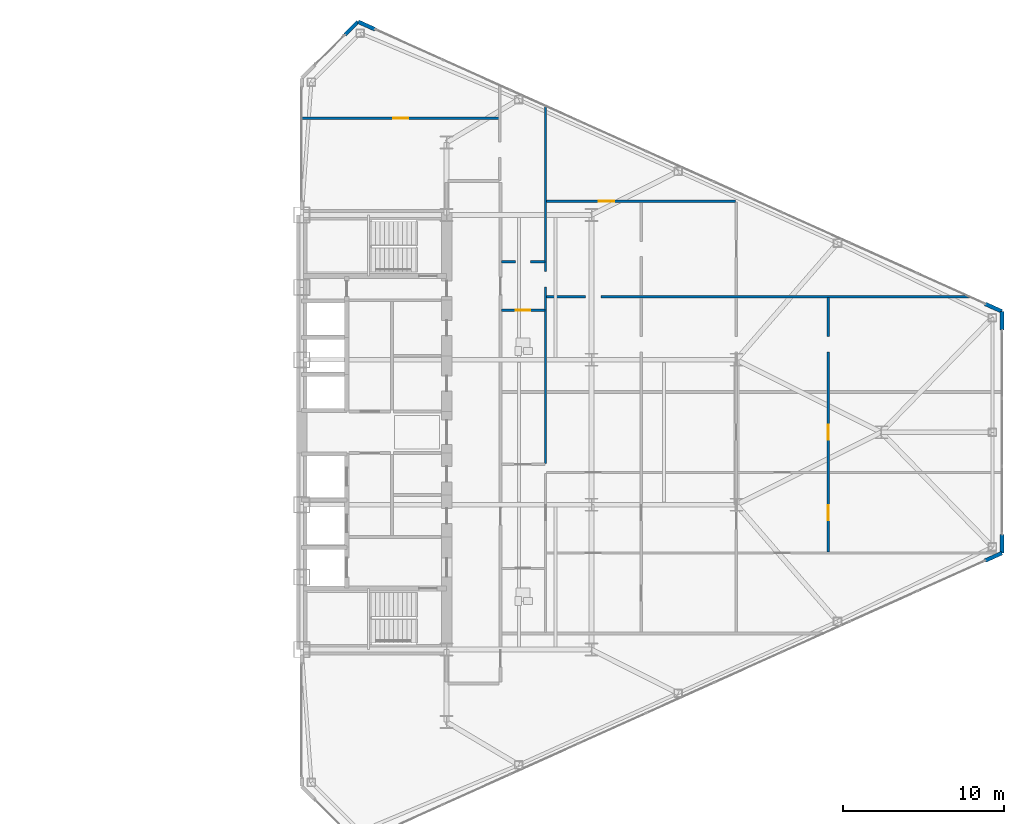
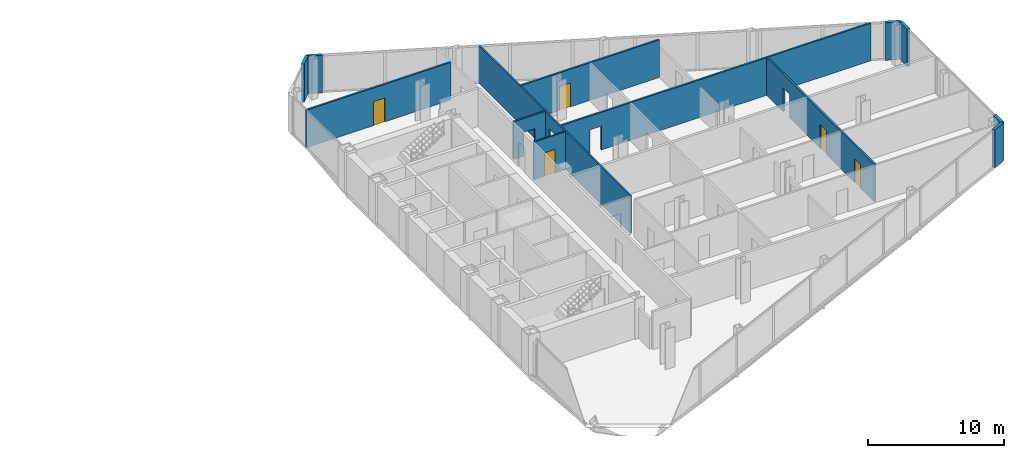
# One storey, part 24 of 27: 13 walls, 5 doors, 9 openings.
"""IFC4 building model written with IfcOpenShell, lengths in metres."""

from ifc_helpers import new_model, si_unit, direction, frame, frame_2d, origin, place, context, subcontext, project, spatial, rectangle, extrude, source, transform, mapped, material, layer, layer_set, type_object, type_shapes, element, fill, save


model = new_model("IFC4")

# Units and contexts
model_context = context("Model", 3, precision=1e-05, world=origin(), true_north=direction((0.0, 1.0)))
body_context = subcontext(model_context, "Body", "Model", "MODEL_VIEW")
ifc_project = project(units=[si_unit("LENGTHUNIT", "METRE"), si_unit("AREAUNIT", "SQUARE_METRE"), si_unit("VOLUMEUNIT", "CUBIC_METRE"), si_unit("PLANEANGLEUNIT", "RADIAN"), si_unit("MASSUNIT", "GRAM", prefix="KILO")], contexts=[model_context])

# Site, building, storey
site_placement = place(None, origin())
site = spatial("IfcSite", under=ifc_project, at=site_placement, CompositionType="ELEMENT")
building_placement = place(site_placement, origin())
building = spatial("IfcBuilding", under=site, at=building_placement, Name="Seokmaru Belvedere", CompositionType="ELEMENT")
storey_placement = place(building_placement, frame((0.0, 0.0, 96.0)))
storey = spatial("IfcBuildingStorey", under=building, at=storey_placement, Name="L25", CompositionType="ELEMENT", Elevation=96.0)

# Wall, opening
ifc_material_1 = material(Name="Fire-Rated Gypsum Shaftwall")
ifc_layer_1 = layer(ifc_material_1, 0.14990234375)
ifc_layer_set_1 = layer_set([ifc_layer_1], Name="Fire-Rated Gypsum Shaftwall")
wall_type_1 = type_object("IfcWallType", Name="Apartment Fire-Acoustic Room Partition 150", PredefinedType="PARTITIONING", material=ifc_layer_set_1)
wall_1_placement = place(storey_placement, frame((42.699951171875, 8.419921875, 0.0), z_axis=(0.0, 0.0, 1.0), x_axis=(1.0, 0.0, 0.0)))
wall_1 = element("IfcWall", 1, at=wall_1_placement, inside=storey, type_object=wall_type_1, Name="L25 Interior Partition 020", PredefinedType="PARTITIONING", context=body_context, shape_type="SweptSolid", body=[
    extrude(rectangle(XDim=26.2919921875, YDim=0.14990234375, at=frame_2d((13.14599609375, 0.0))), origin(), (0.0, 0.0, 1.0), 3.3798828125),
])
opening_1_placement = place(wall_1_placement, frame((2.4375, 0.0, 0.0)))
element("IfcOpeningElement", 2, at=opening_1_placement, cuts=wall_1, Name="L25 Cased Opening 053", PredefinedType="OPENING", context=body_context, shape_type="SweptSolid", body=[
    extrude(rectangle(XDim=0.949951171875, YDim=2.14990234375, at=frame_2d((0.47509765625, 1.074951171875))), frame((0.0, 0.0849609375, 0.0), z_axis=(0.0, -1.0, 0.0), x_axis=(1.0, 0.0, 0.0)), (0.0, 0.0, 1.0), 0.169921875),
])

wall_2_placement = place(storey_placement, frame((39.89990234375, 10.580078125, 0.0), z_axis=(0.0, 0.0, 1.0), x_axis=(1.0, 0.0, 0.0)))
wall_2 = element("IfcWall", 3, at=wall_2_placement, inside=storey, type_object=wall_type_1, Name="L25 Interior Partition 022", PredefinedType="PARTITIONING", context=body_context, shape_type="SweptSolid", body=[
    extrude(rectangle(XDim=2.7001953125, YDim=0.14990234375, at=frame_2d((1.35009765625, 0.0))), origin(), (0.0, 0.0, 1.0), 3.3798828125),
])
opening_2_placement = place(wall_2_placement, frame((0.875, 0.0, 0.0)))
element("IfcOpeningElement", 4, at=opening_2_placement, cuts=wall_2, Name="L25 Cased Opening 051", PredefinedType="OPENING", context=body_context, shape_type="SweptSolid", body=[
    extrude(rectangle(XDim=0.949951171875, YDim=2.14990234375, at=frame_2d((0.47509765625, 1.074951171875))), frame((0.0, 0.0849609375, 0.0), z_axis=(0.0, -1.0, 0.0), x_axis=(1.0, 0.0, 0.0)), (0.0, 0.0, 1.0), 0.169921875),
])

# Wall, opening, door
wall_3_placement = place(storey_placement, frame((42.699951171875, 14.340087890625, 0.0), z_axis=(0.0, 0.0, 1.0), x_axis=(1.0, 0.0, 0.0)))
wall_3 = element("IfcWall", 5, at=wall_3_placement, inside=storey, type_object=wall_type_1, Name="L25 Interior Partition 026", PredefinedType="PARTITIONING", context=body_context, shape_type="SweptSolid", body=[
    extrude(rectangle(XDim=11.75, YDim=0.14990234375, at=frame_2d((5.875, 0.0))), origin(), (0.0, 0.0, 1.0), 3.3798828125),
])
opening_3_placement = place(wall_3_placement, frame((3.255126953125, 0.0, 0.0)))
opening_3 = element("IfcOpeningElement", 6, at=opening_3_placement, cuts=wall_3, Name="Opening D05", PredefinedType="OPENING", context=body_context, shape_type="SweptSolid", body=[
    extrude(rectangle(XDim=0.949951171875, YDim=2.14990234375, at=frame_2d((0.47509765625, 1.074951171875))), frame((0.0, 0.0849609375, 0.0), z_axis=(0.0, -1.0, 0.0), x_axis=(1.0, 0.0, 0.0)), (0.0, 0.0, 1.0), 0.169921875),
])
ifc_material_2 = material(Name="Engineered White Oak Timber", Category="wood")
door_type_1 = type_object("IfcDoorType", Name="Apartment Interior Fire-Rated Oak Door 950x2150", OperationType="NOTDEFINED", PredefinedType="DOOR", material=ifc_material_2)
shared_shape_1 = source(origin(), body_context, "Body", "SweptSolid", [
    extrude(rectangle(XDim=0.949951171875, YDim=2.14990234375, at=frame_2d((0.47509765625, 1.074951171875))), frame((0.0, 0.02490234375, 0.0), z_axis=(0.0, -1.0, 0.0), x_axis=(1.0, 0.0, 0.0)), (0.0, 0.0, 1.0), 0.050048828125),
])
type_shapes(door_type_1, [shared_shape_1])
door_1_placement = place(opening_3_placement, origin())
door_1 = element("IfcDoor", 7, at=door_1_placement, inside=storey, type_object=door_type_1, Name="L25 Interior Door 055", OperationType="SINGLE_SWING_LEFT", OverallHeight=2.14990234375, OverallWidth=0.949951171875, PredefinedType="DOOR", context=body_context, shape_type="MappedRepresentation", body=[
    mapped(shared_shape_1, transform((0.0, 0.0, 0.0), scale=1.0)),
])
fill(opening_3, door_1)

wall_4_placement = place(storey_placement, frame((27.465087890625, 19.5, 0.0), z_axis=(0.0, 0.0, 1.0), x_axis=(1.0, 0.0, 0.0)))
wall_4 = element("IfcWall", 8, at=wall_4_placement, inside=storey, type_object=wall_type_1, Name="L25 Interior Partition 031", PredefinedType="PARTITIONING", context=body_context, shape_type="SweptSolid", body=[
    extrude(rectangle(XDim=12.284912109375, YDim=0.14990234375, at=frame_2d((6.142578125, 0.0))), origin(), (0.0, 0.0, 1.0), 3.3798828125),
])
opening_4_placement = place(wall_4_placement, frame((5.7099609375, 0.0, 0.0)))
opening_4 = element("IfcOpeningElement", 9, at=opening_4_placement, cuts=wall_4, Name="Opening D05", PredefinedType="OPENING", context=body_context, shape_type="SweptSolid", body=[
    extrude(rectangle(XDim=0.949951171875, YDim=2.14990234375, at=frame_2d((0.47509765625, 1.074951171875))), frame((0.0, 0.0849609375, 0.0), z_axis=(0.0, -1.0, 0.0), x_axis=(1.0, 0.0, 0.0)), (0.0, 0.0, 1.0), 0.169921875),
])
door_2_placement = place(opening_4_placement, origin())
door_2 = element("IfcDoor", 10, at=door_2_placement, inside=storey, type_object=door_type_1, Name="L25 Interior Door 061", OperationType="SINGLE_SWING_LEFT", OverallHeight=2.14990234375, OverallWidth=0.949951171875, PredefinedType="DOOR", context=body_context, shape_type="MappedRepresentation", body=[
    mapped(shared_shape_1, transform((0.0, 0.0, 0.0), scale=1.0)),
])
fill(opening_4, door_2)

# Wall, openings, doors
wall_5_placement = place(storey_placement, frame((60.199951171875, -7.449951171875, 0.0), z_axis=(0.0, 0.0, 1.0), x_axis=(0.0, 1.0, 0.0)))
wall_5 = element("IfcWall", 11, at=wall_5_placement, inside=storey, type_object=wall_type_1, Name="L25 Interior Partition 051", PredefinedType="PARTITIONING", context=body_context, shape_type="SweptSolid", body=[
    extrude(rectangle(XDim=15.81884765625, YDim=0.14990234375, at=frame_2d((7.909423828125, 0.0))), origin(), (0.0, 0.0, 1.0), 3.3798828125),
])
opening_5_placement = place(wall_5_placement, frame((1.97509765625, 0.0, 0.0)))
opening_5 = element("IfcOpeningElement", 12, at=opening_5_placement, cuts=wall_5, Name="Opening D05", PredefinedType="OPENING", context=body_context, shape_type="SweptSolid", body=[
    extrude(rectangle(XDim=0.949951171875, YDim=2.14990234375, at=frame_2d((0.47509765625, 1.074951171875))), frame((0.0, 0.0849609375, 0.0), z_axis=(0.0, -1.0, 0.0), x_axis=(1.0, 0.0, 0.0)), (0.0, 0.0, 1.0), 0.169921875),
])
opening_6_placement = place(wall_5_placement, frame((6.97509765625, 0.0, 0.0)))
opening_6 = element("IfcOpeningElement", 13, at=opening_6_placement, cuts=wall_5, Name="Opening D05", PredefinedType="OPENING", context=body_context, shape_type="SweptSolid", body=[
    extrude(rectangle(XDim=0.949951171875, YDim=2.14990234375, at=frame_2d((0.47509765625, 1.074951171875))), frame((0.0, 0.0849609375, 0.0), z_axis=(0.0, -1.0, 0.0), x_axis=(1.0, 0.0, 0.0)), (0.0, 0.0, 1.0), 0.169921875),
])
opening_7_placement = place(wall_5_placement, frame((12.4345703125, 0.0, 0.0)))
element("IfcOpeningElement", 14, at=opening_7_placement, cuts=wall_5, Name="L25 Cased Opening 059", PredefinedType="OPENING", context=body_context, shape_type="SweptSolid", body=[
    extrude(rectangle(XDim=0.949951171875, YDim=2.14990234375, at=frame_2d((0.47509765625, 1.074951171875))), frame((0.0, 0.0849609375, 0.0), z_axis=(0.0, -1.0, 0.0), x_axis=(1.0, 0.0, 0.0)), (0.0, 0.0, 1.0), 0.169921875),
])
door_3_placement = place(opening_5_placement, origin())
door_3 = element("IfcDoor", 15, at=door_3_placement, inside=storey, type_object=door_type_1, Name="L25 Interior Door 044", OperationType="SINGLE_SWING_LEFT", OverallHeight=2.14990234375, OverallWidth=0.949951171875, PredefinedType="DOOR", context=body_context, shape_type="MappedRepresentation", body=[
    mapped(shared_shape_1, transform((0.0, 0.0, 0.0), scale=1.0)),
])
fill(opening_5, door_3)
door_4_placement = place(opening_6_placement, origin())
door_4 = element("IfcDoor", 16, at=door_4_placement, inside=storey, type_object=door_type_1, Name="L25 Interior Door 046", OperationType="SINGLE_SWING_LEFT", OverallHeight=2.14990234375, OverallWidth=0.949951171875, PredefinedType="DOOR", context=body_context, shape_type="MappedRepresentation", body=[
    mapped(shared_shape_1, transform((0.0, 0.0, 0.0), scale=1.0)),
])
fill(opening_6, door_4)

# Wall, opening, door
ifc_layer_2 = layer(ifc_material_1, 0.1298828125)
ifc_layer_set_2 = layer_set([ifc_layer_2], Name="Fire-Rated Gypsum Shaftwall")
wall_type_2 = type_object("IfcWallType", Name="Moisture-Resistant Fire-Rated Bathroom Partition 130", PredefinedType="PARTITIONING", material=ifc_layer_set_2)
wall_6_placement = place(storey_placement, frame((39.89990234375, 7.580078125, 0.0), z_axis=(0.0, 0.0, 1.0), x_axis=(1.0, 0.0, 0.0)))
wall_6 = element("IfcWall", 17, at=wall_6_placement, inside=storey, type_object=wall_type_2, Name="L25 Interior Partition 019", PredefinedType="PARTITIONING", context=body_context, shape_type="SweptSolid", body=[
    extrude(rectangle(XDim=2.7001953125, YDim=0.1298828125, at=frame_2d((1.35009765625, 0.0))), origin(), (0.0, 0.0, 1.0), 3.3798828125),
])
opening_8_placement = place(wall_6_placement, frame((0.909912109375, 0.0, 0.0)))
opening_8 = element("IfcOpeningElement", 18, at=opening_8_placement, cuts=wall_6, Name="Opening D06", PredefinedType="OPENING", context=body_context, shape_type="SweptSolid", body=[
    extrude(rectangle(XDim=0.8798828125, YDim=2.10009765625, at=frame_2d((0.43994140625, 1.050048828125))), frame((0.0, 0.074951171875, 0.0), z_axis=(0.0, -1.0, 0.0), x_axis=(1.0, 0.0, 0.0)), (0.0, 0.0, 1.0), 0.14990234375),
])
door_type_2 = type_object("IfcDoorType", Name="Bathroom and Restroom Fire-Rated Door 880x2100", OperationType="NOTDEFINED", PredefinedType="DOOR", material=ifc_material_2)
shared_shape_2 = source(origin(), body_context, "Body", "SweptSolid", [
    extrude(rectangle(XDim=0.8798828125, YDim=2.10009765625, at=frame_2d((0.43994140625, 1.050048828125))), frame((0.0, 0.02490234375, 0.0), z_axis=(0.0, -1.0, 0.0), x_axis=(1.0, 0.0, 0.0)), (0.0, 0.0, 1.0), 0.050048828125),
])
type_shapes(door_type_2, [shared_shape_2])
door_5_placement = place(opening_8_placement, origin())
door_5 = element("IfcDoor", 19, at=door_5_placement, inside=storey, type_object=door_type_2, Name="L25 Interior Door 050", OperationType="SINGLE_SWING_RIGHT", OverallHeight=2.10009765625, OverallWidth=0.8798828125, PredefinedType="DOOR", context=body_context, shape_type="MappedRepresentation", body=[
    mapped(shared_shape_2, transform((0.0, 0.0, 0.0), scale=1.0)),
])
fill(opening_8, door_5)

# Wall, opening
wall_7_placement = place(storey_placement, frame((42.64990234375, -1.947998046875, 0.0), z_axis=(0.0, 0.0, 1.0), x_axis=(0.0, 1.0, 0.0)))
wall_7 = element("IfcWall", 20, at=wall_7_placement, inside=storey, type_object=wall_type_2, Name="L25 Interior Partition 048", PredefinedType="PARTITIONING", context=body_context, shape_type="SweptSolid", body=[
    extrude(rectangle(XDim=22.240966796875, YDim=0.1298828125, at=frame_2d((11.12060546875, 0.0))), origin(), (0.0, 0.0, 1.0), 3.3798828125),
])
opening_9_placement = place(wall_7_placement, frame((10.971435546875, 0.0, 0.0)))
element("IfcOpeningElement", 21, at=opening_9_placement, cuts=wall_7, Name="L25 Cased Opening 052", PredefinedType="OPENING", context=body_context, shape_type="SweptSolid", body=[
    extrude(rectangle(XDim=0.949951171875, YDim=2.14990234375, at=frame_2d((0.47509765625, 1.074951171875))), frame((0.0, 0.074951171875, 0.0), z_axis=(0.0, -1.0, 0.0), x_axis=(1.0, 0.0, 0.0)), (0.0, 0.0, 1.0), 0.14990234375),
])

# Walls
ifc_material_3 = material(Name="Anodised Bronze Aluminium", Category="aluminium")
ifc_layer_3 = layer(ifc_material_3, 0.239990234375)
ifc_layer_set_3 = layer_set([ifc_layer_3], Name="Anodised Bronze Aluminium")
wall_type_3 = type_object("IfcWallType", Name="Tower Corner Spandrel Closure Wall 240", PredefinedType="SOLIDWALL", material=ifc_layer_set_3)
for number, where, z_axis, x_axis, name in (
    (22, (69.951416015625, -7.971923828125, 0.0), (0.0, 0.0, 1.0), (0.911929519623, 0.410346866979, 0.0), "L25 E Corner Closure Pier 1B"),
    (23, (71.0, -7.489990234375, 0.0), (0.0, 0.0, 1.0), (0.0, 1.0, 0.0), "L25 E Corner Closure Pier 2A"),
    (24, (71.0, 6.35009765625, 0.0), (0.0, 0.0, 1.0), (0.0, 1.0, 0.0), "L25 E Corner Closure Pier 2B"),
    (25, (70.990966796875, 7.504150390625, 0.0), (0.0, 0.0, 1.0), (-0.911929519623, 0.410346866979, 0.0), "L25 E Corner Closure Pier 3A"),
    (26, (32.048583984375, 25.028076171875, 0.0), (0.0, 0.0, 1.0), (-0.911929519623, 0.410346866979, 0.0), "L25 E Corner Closure Pier 3B"),
):
    element("IfcWall", number, at=place(storey_placement, frame(where, z_axis=z_axis, x_axis=x_axis)), inside=storey, type_object=wall_type_3, Name=name, PredefinedType="SOLIDWALL", context=body_context, shape_type="SweptSolid", body=[
        extrude(rectangle(XDim=1.139892578125, YDim=0.239990234375, at=frame_2d((0.56982421875, 0.0))), origin(), (0.0, 0.0, 1.0), 3.3798828125),
    ])
wall_8_placement = place(storey_placement, frame((30.992919921875, 25.492919921875, 0.0), z_axis=(0.0, 0.0, 1.0), x_axis=(-0.707106781187, -0.707106781187, 0.0)))
element("IfcWall", 27, at=wall_8_placement, inside=storey, type_object=wall_type_3, Name="L25 E Corner Closure Pier 4A", PredefinedType="SOLIDWALL", context=body_context, shape_type="SweptSolid", body=[
    extrude(rectangle(XDim=1.14013671875, YDim=0.239990234375, at=frame_2d((0.570068359375, 0.0))), origin(), (0.0, 0.0, 1.0), 3.3798828125),
])

save(model, "model.ifc")
